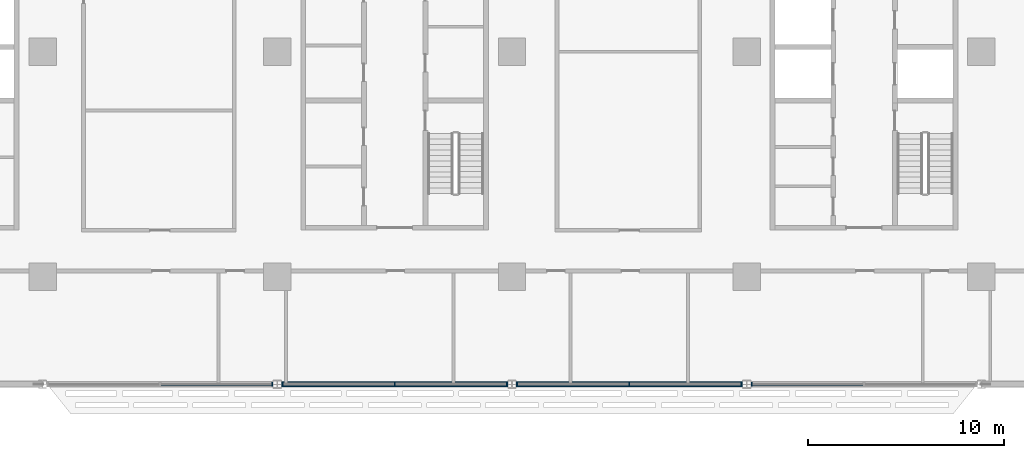
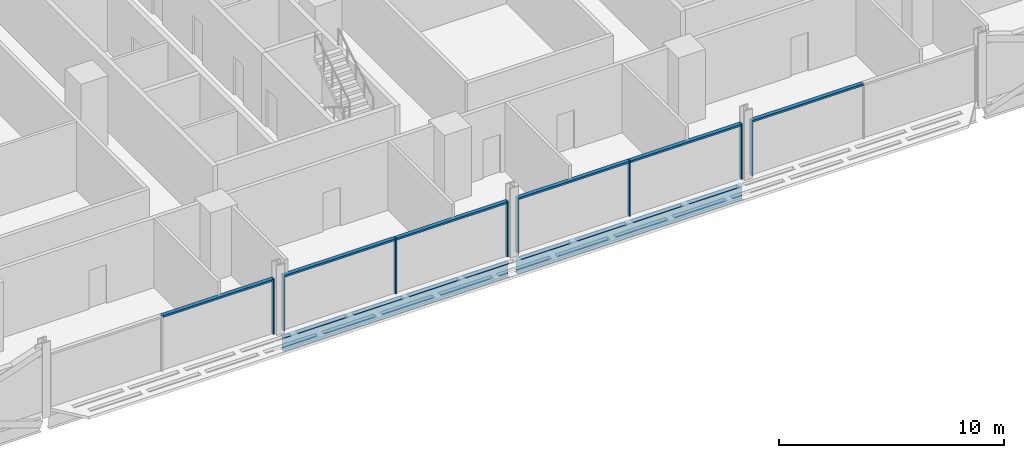
# One storey, part 5 of 29: 14 members, 2 beams, 4 elements without a shape of their own.
"""IFC4 building model written with IfcOpenShell, lengths in metres."""

from ifc_helpers import new_model, si_unit, direction, frame, origin, origin_2d, place, context, subcontext, project, spatial, rectangle, i_section, extrude, material, material_profile, profile_set, type_object, element, aggregate, save


model = new_model("IFC4")

# Units and contexts
model_context = context("Model", 3, precision=1e-05, world=origin(), true_north=direction((0.0, 1.0)))
body_context = subcontext(model_context, "Body", "Model", "MODEL_VIEW")
ifc_project = project(units=[si_unit("LENGTHUNIT", "METRE"), si_unit("AREAUNIT", "SQUARE_METRE"), si_unit("VOLUMEUNIT", "CUBIC_METRE"), si_unit("PLANEANGLEUNIT", "RADIAN"), si_unit("MASSUNIT", "GRAM", prefix="KILO")], contexts=[model_context])

# Site, building, storey
site_placement = place(None, origin())
site = spatial("IfcSite", under=ifc_project, at=site_placement, CompositionType="ELEMENT")
building_placement = place(site_placement, origin())
building = spatial("IfcBuilding", under=site, at=building_placement, Name="Mahtab Terrace Research Tower", CompositionType="ELEMENT")
storey_placement = place(building_placement, frame((0.0, 0.0, 88.89990234375)))
storey = spatial("IfcBuildingStorey", under=building, at=storey_placement, Name="L20", CompositionType="ELEMENT", Elevation=88.89990234375)

# Curtain wall, member
ifc_material_1 = material(Name="Laboratory ribbon curtain wall")
curtain_wall_type = type_object("IfcCurtainWallType", Name="Laboratory ribbon curtain wall", PredefinedType="NOTDEFINED", material=ifc_material_1)
curtain_wall_1_placement = place(storey_placement, origin())
curtain_wall_1 = element("IfcCurtainWall", 1, at=curtain_wall_1_placement, inside=storey, type_object=curtain_wall_type, Name="EN.L20.13.25", PredefinedType="NOTDEFINED")
ifc_material_2 = material(Name="Natural anodised aluminium", Category="aluminium")
ifc_material_profile_1 = material_profile(ifc_material_2, rectangle(XDim=0.199951171875, YDim=0.06494140625, at=origin_2d()), Name="MULLION 65x200")
ifc_profile_set_1 = profile_set([ifc_material_profile_1], Name="Natural anodised aluminium")
member_type_1 = type_object("IfcMemberType", Name="Laboratory ribbon curtain wall mullion", PredefinedType="MULLION", material=ifc_profile_set_1)
member_1_placement = place(storey_placement, frame((-6.260498046875, -17.0, 0.0), z_axis=(0.0, 0.0, 1.0), x_axis=(0.0, 1.0, 0.0)))
member_1 = element("IfcMember", 2, at=member_1_placement, type_object=member_type_1, Name="CWL-3 mullion 3", PredefinedType="MULLION", context=body_context, shape_type="SweptSolid", body=[
    extrude(rectangle(XDim=0.199951171875, YDim=0.06494140625, at=origin_2d()), origin(), (0.0, 0.0, 1.0), 3.003173828125),
])

# Curtain wall, members
curtain_wall_2_placement = place(storey_placement, origin())
curtain_wall_2 = element("IfcCurtainWall", 3, at=curtain_wall_2_placement, inside=storey, type_object=curtain_wall_type, Name="EN.L20.13.26", PredefinedType="NOTDEFINED")
member_2_placement = place(storey_placement, frame((-5.739501953125, -17.0, 0.0), z_axis=(0.0, 0.0, 1.0), x_axis=(0.0, 1.0, 0.0)))
member_2 = element("IfcMember", 4, at=member_2_placement, type_object=member_type_1, Name="CWL-3 mullion 1", PredefinedType="MULLION", context=body_context, shape_type="SweptSolid", body=[
    extrude(rectangle(XDim=0.199951171875, YDim=0.06494140625, at=origin_2d()), origin(), (0.0, 0.0, 1.0), 3.003173828125),
])
member_3_placement = place(storey_placement, frame((0.0, -17.0, 0.0), z_axis=(0.0, 0.0, 1.0), x_axis=(0.0, 1.0, 0.0)))
member_3 = element("IfcMember", 5, at=member_3_placement, type_object=member_type_1, Name="CWL-3 mullion 2", PredefinedType="MULLION", context=body_context, shape_type="SweptSolid", body=[
    extrude(rectangle(XDim=0.199951171875, YDim=0.06494140625, at=origin_2d()), origin(), (0.0, 0.0, 1.0), 3.003173828125),
])
member_4_placement = place(storey_placement, frame((5.739501953125, -17.0, 0.0), z_axis=(0.0, 0.0, 1.0), x_axis=(0.0, 1.0, 0.0)))
member_4 = element("IfcMember", 6, at=member_4_placement, type_object=member_type_1, Name="CWL-3 mullion 3", PredefinedType="MULLION", context=body_context, shape_type="SweptSolid", body=[
    extrude(rectangle(XDim=0.199951171875, YDim=0.06494140625, at=origin_2d()), origin(), (0.0, 0.0, 1.0), 3.003173828125),
])

curtain_wall_3_placement = place(storey_placement, origin())
curtain_wall_3 = element("IfcCurtainWall", 7, at=curtain_wall_3_placement, inside=storey, type_object=curtain_wall_type, Name="EN.L20.13.27", PredefinedType="NOTDEFINED")
member_5_placement = place(storey_placement, frame((6.260498046875, -17.0, 0.0), z_axis=(0.0, 0.0, 1.0), x_axis=(0.0, 1.0, 0.0)))
member_5 = element("IfcMember", 8, at=member_5_placement, type_object=member_type_1, Name="CWL-3 mullion 1", PredefinedType="MULLION", context=body_context, shape_type="SweptSolid", body=[
    extrude(rectangle(XDim=0.199951171875, YDim=0.06494140625, at=origin_2d()), origin(), (0.0, 0.0, 1.0), 3.003173828125),
])
member_6_placement = place(storey_placement, frame((12.0, -17.0, 0.0), z_axis=(0.0, 0.0, 1.0), x_axis=(0.0, 1.0, 0.0)))
member_6 = element("IfcMember", 9, at=member_6_placement, type_object=member_type_1, Name="CWL-3 mullion 2", PredefinedType="MULLION", context=body_context, shape_type="SweptSolid", body=[
    extrude(rectangle(XDim=0.199951171875, YDim=0.06494140625, at=origin_2d()), origin(), (0.0, 0.0, 1.0), 3.003173828125),
])
member_7_placement = place(storey_placement, frame((17.739501953125, -17.0, 0.0), z_axis=(0.0, 0.0, 1.0), x_axis=(0.0, 1.0, 0.0)))
member_7 = element("IfcMember", 10, at=member_7_placement, type_object=member_type_1, Name="CWL-3 mullion 3", PredefinedType="MULLION", context=body_context, shape_type="SweptSolid", body=[
    extrude(rectangle(XDim=0.199951171875, YDim=0.06494140625, at=origin_2d()), origin(), (0.0, 0.0, 1.0), 3.003173828125),
])

# Curtain wall, member
curtain_wall_4_placement = place(storey_placement, origin())
curtain_wall_4 = element("IfcCurtainWall", 11, at=curtain_wall_4_placement, inside=storey, type_object=curtain_wall_type, Name="EN.L20.13.28", PredefinedType="NOTDEFINED")
member_8_placement = place(storey_placement, frame((18.260498046875, -17.0, 0.0), z_axis=(0.0, 0.0, 1.0), x_axis=(0.0, 1.0, 0.0)))
member_8 = element("IfcMember", 12, at=member_8_placement, type_object=member_type_1, Name="CWL-3 mullion 1", PredefinedType="MULLION", context=body_context, shape_type="SweptSolid", body=[
    extrude(rectangle(XDim=0.199951171875, YDim=0.06494140625, at=origin_2d()), origin(), (0.0, 0.0, 1.0), 3.003173828125),
])

# Member
ifc_material_profile_2 = material_profile(ifc_material_2, rectangle(XDim=0.199951171875, YDim=0.10009765625, at=origin_2d()), Name="TRANSOM 100x200")
ifc_profile_set_2 = profile_set([ifc_material_profile_2], Name="Natural anodised aluminium")
member_type_2 = type_object("IfcMemberType", Name="Laboratory ribbon curtain wall transom", PredefinedType="USERDEFINED", material=ifc_profile_set_2)
member_9_placement = place(storey_placement, frame((-11.967529296875, -17.0, 2.953125), z_axis=(1.0, 0.0, 0.0), x_axis=(0.0, 1.0, 0.0)))
member_9 = element("IfcMember", 13, at=member_9_placement, type_object=member_type_2, Name="CWL-3 transom 2", ObjectType="TRANSOM", PredefinedType="USERDEFINED", context=body_context, shape_type="SweptSolid", body=[
    extrude(rectangle(XDim=0.199951171875, YDim=0.10009765625, at=origin_2d()), origin(), (0.0, 0.0, 1.0), 5.674560546875),
])

aggregate(curtain_wall_1, [member_1, member_9])

member_10_placement = place(storey_placement, frame((-5.70703125, -17.0, 2.953125), z_axis=(1.0, 0.0, 0.0), x_axis=(0.0, 1.0, 0.0)))
member_10 = element("IfcMember", 14, at=member_10_placement, type_object=member_type_2, Name="CWL-3 transom 1", ObjectType="TRANSOM", PredefinedType="USERDEFINED", context=body_context, shape_type="SweptSolid", body=[
    extrude(rectangle(XDim=0.199951171875, YDim=0.10009765625, at=origin_2d()), origin(), (0.0, 0.0, 1.0), 5.674560546875),
])

member_11_placement = place(storey_placement, frame((0.032470703125, -17.0, 2.953125), z_axis=(1.0, 0.0, 0.0), x_axis=(0.0, 1.0, 0.0)))
member_11 = element("IfcMember", 15, at=member_11_placement, type_object=member_type_2, Name="CWL-3 transom 2", ObjectType="TRANSOM", PredefinedType="USERDEFINED", context=body_context, shape_type="SweptSolid", body=[
    extrude(rectangle(XDim=0.199951171875, YDim=0.10009765625, at=origin_2d()), origin(), (0.0, 0.0, 1.0), 5.674560546875),
])

aggregate(curtain_wall_2, [member_2, member_3, member_4, member_10, member_11])

member_12_placement = place(storey_placement, frame((6.29296875, -17.0, 2.953125), z_axis=(1.0, 0.0, 0.0), x_axis=(0.0, 1.0, 0.0)))
member_12 = element("IfcMember", 16, at=member_12_placement, type_object=member_type_2, Name="CWL-3 transom 1", ObjectType="TRANSOM", PredefinedType="USERDEFINED", context=body_context, shape_type="SweptSolid", body=[
    extrude(rectangle(XDim=0.199951171875, YDim=0.10009765625, at=origin_2d()), origin(), (0.0, 0.0, 1.0), 5.674560546875),
])

member_13_placement = place(storey_placement, frame((12.032470703125, -17.0, 2.953125), z_axis=(1.0, 0.0, 0.0), x_axis=(0.0, 1.0, 0.0)))
member_13 = element("IfcMember", 17, at=member_13_placement, type_object=member_type_2, Name="CWL-3 transom 2", ObjectType="TRANSOM", PredefinedType="USERDEFINED", context=body_context, shape_type="SweptSolid", body=[
    extrude(rectangle(XDim=0.199951171875, YDim=0.10009765625, at=origin_2d()), origin(), (0.0, 0.0, 1.0), 5.674560546875),
])

aggregate(curtain_wall_3, [member_5, member_6, member_7, member_12, member_13])

member_14_placement = place(storey_placement, frame((18.29296875, -17.0, 2.953125), z_axis=(1.0, 0.0, 0.0), x_axis=(0.0, 1.0, 0.0)))
member_14 = element("IfcMember", 18, at=member_14_placement, type_object=member_type_2, Name="CWL-3 transom 1", ObjectType="TRANSOM", PredefinedType="USERDEFINED", context=body_context, shape_type="SweptSolid", body=[
    extrude(rectangle(XDim=0.199951171875, YDim=0.10009765625, at=origin_2d()), origin(), (0.0, 0.0, 1.0), 5.674560546875),
])

aggregate(curtain_wall_4, [member_8, member_14])

# Beams
ifc_material_3 = material(Name="Steel ASTM A992 Gr 50", Category="steel")
ifc_material_profile_3 = material_profile(ifc_material_3, i_section(OverallWidth=0.2666015625, OverallDepth=0.7568359375, WebThickness=0.013916015625, FlangeThickness=0.019287109375, at=origin_2d()), Name="W30X108")
ifc_profile_set_3 = profile_set([ifc_material_profile_3], Name="Steel ASTM A992 Gr 50")
beam_type = type_object("IfcBeamType", Name="W30x108 beam BS30108", PredefinedType="BEAM", material=ifc_profile_set_3)
for number, where, z_axis, x_axis, name in (
    (19, (-5.79052734375, -17.0, -0.71826171875), (1.0, 0.0, 0.0), (0.0, 1.0, 0.0), "Spandrel beam L20 15"),
    (20, (6.20947265625, -17.0, -0.71826171875), (1.0, 0.0, 0.0), (0.0, 1.0, 0.0), "Spandrel beam L20 16"),
):
    element("IfcBeam", number, at=place(storey_placement, frame(where, z_axis=z_axis, x_axis=x_axis)), inside=storey, type_object=beam_type, Name=name, PredefinedType="BEAM", context=body_context, shape_type="SweptSolid", body=[
        extrude(i_section(OverallWidth=0.2666015625, OverallDepth=0.7568359375, WebThickness=0.013916015625, FlangeThickness=0.019287109375, at=origin_2d()), origin(), (0.0, 0.0, 1.0), 11.5810546875),
    ])

save(model, "model.ifc")
